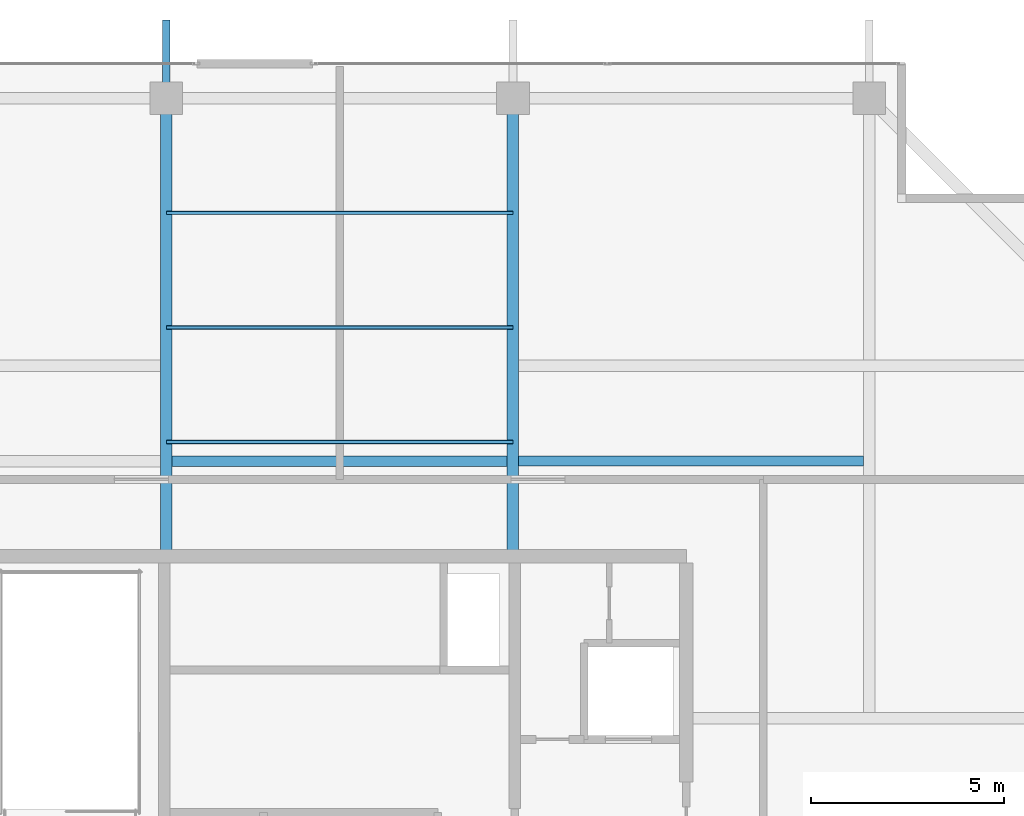
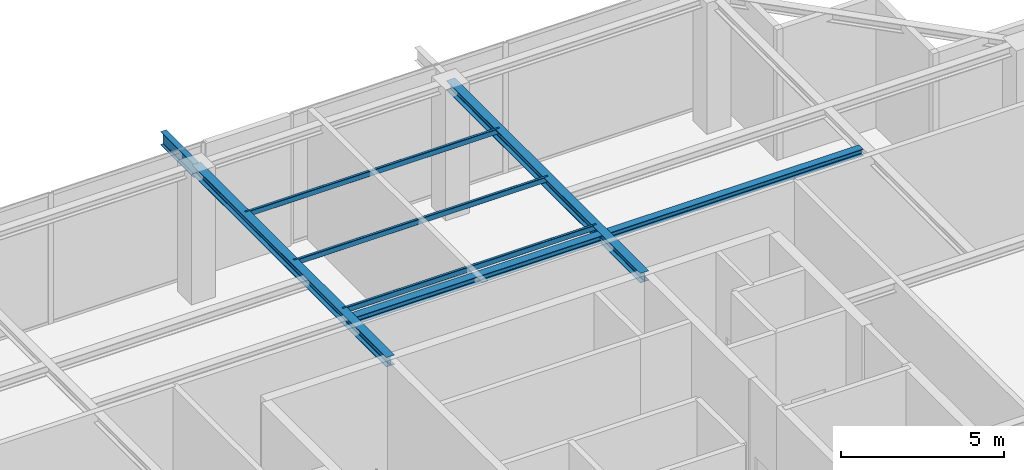
# One storey, part 20 of 27: 5 beams, 3 members.
"""IFC4 building model written with IfcOpenShell, lengths in metres."""

from ifc_helpers import new_model, si_unit, direction, frame, origin, origin_2d, place, context, subcontext, project, spatial, hollow_rectangle, i_section, extrude, source, transform, mapped, material, material_profile, profile_set, type_object, element, save


model = new_model("IFC4")

# Units and contexts
model_context = context("Model", 3, precision=1e-05, world=origin(), true_north=direction((0.0, 1.0)))
body_context = subcontext(model_context, "Body", "Model", "MODEL_VIEW")
ifc_project = project(units=[si_unit("LENGTHUNIT", "METRE"), si_unit("AREAUNIT", "SQUARE_METRE"), si_unit("VOLUMEUNIT", "CUBIC_METRE"), si_unit("PLANEANGLEUNIT", "RADIAN"), si_unit("MASSUNIT", "GRAM", prefix="KILO")], contexts=[model_context])

# Site, building, storey
site_placement = place(None, origin())
site = spatial("IfcSite", under=ifc_project, at=site_placement, CompositionType="ELEMENT")
building_placement = place(site_placement, origin())
building = spatial("IfcBuilding", under=site, at=building_placement, Name="Serunith Strait Residences", CompositionType="ELEMENT")
storey_placement = place(building_placement, frame((0.0, 0.0, 365.75)))
storey = spatial("IfcBuildingStorey", under=building, at=storey_placement, Name="L89", CompositionType="ELEMENT", Elevation=365.75)

# Beams
ifc_material = material(Name="Steel S355J2", Category="steel")
ifc_material_profile_1 = material_profile(ifc_material, i_section(OverallWidth=0.280029296875, OverallDepth=0.280029296875, WebThickness=0.010498046875, FlangeThickness=0.01806640625, FilletRadius=0.02392578125, at=origin_2d()), Name="HEB 280")
ifc_profile_set_1 = profile_set([ifc_material_profile_1], Name="Steel S355J2")
beam_type_1 = type_object("IfcBeamType", Name="BM-HEB280", PredefinedType="JOIST", material=ifc_profile_set_1)
shared_shape_1 = source(origin(), body_context, "Body", "SweptSolid", [
    extrude(i_section(OverallWidth=0.280029296875, OverallDepth=0.280029296875, WebThickness=0.010498046875, FlangeThickness=0.01806640625, FilletRadius=0.02392578125, at=origin_2d()), origin(), (0.0, 0.0, 1.0), 8.699951171875),
])
beam_1_placement = place(storey_placement, frame((28.050048828125, 36.074951171875, 4.757080078125), z_axis=(1.0, 0.0, 0.0), x_axis=(0.0, 1.0, 0.0)))
element("IfcBeam", 1, at=beam_1_placement, inside=storey, type_object=beam_type_1, Name="L89 Composite Floor Joist 05", PredefinedType="JOIST", context=body_context, shape_type="MappedRepresentation", body=[
    mapped(shared_shape_1, transform((0.0, 0.0, 0.0), scale=1.0)),
])
ifc_material_profile_2 = material_profile(ifc_material, i_section(OverallWidth=0.300048828125, OverallDepth=0.360107421875, WebThickness=0.012451171875, FlangeThickness=0.0224609375, FilletRadius=0.027099609375, at=origin_2d()), Name="HEB 360")
ifc_profile_set_2 = profile_set([ifc_material_profile_2], Name="Steel S355J2")
beam_type_2 = type_object("IfcBeamType", Name="BM-HEB360", PredefinedType="BEAM", material=ifc_profile_set_2)
shared_shape_2 = source(origin(), body_context, "Body", "SweptSolid", [
    extrude(i_section(OverallWidth=0.300048828125, OverallDepth=0.360107421875, WebThickness=0.012451171875, FlangeThickness=0.0224609375, FilletRadius=0.027099609375, at=origin_2d()), origin(), (0.0, 0.0, 1.0), 11.89990234375),
])
for number, where, z_axis, x_axis, name in (
    (2, (27.89990234375, 33.60009765625, 4.717041015625), (0.0, 1.0, 0.0), (-1.0, 0.0, 0.0), "L89 Primary Floor Girder TC-N2"),
    (3, (36.89990234375, 33.60009765625, 4.717041015625), (0.0, 1.0, 0.0), (-1.0, 0.0, 0.0), "L89 Primary Floor Girder TC-N3"),
):
    element("IfcBeam", number, at=place(storey_placement, frame(where, z_axis=z_axis, x_axis=x_axis)), inside=storey, type_object=beam_type_2, Name=name, PredefinedType="BEAM", context=body_context, shape_type="MappedRepresentation", body=[
        mapped(shared_shape_2, transform((0.0, 0.0, 0.0), scale=1.0)),
    ])
ifc_material_profile_3 = material_profile(ifc_material, i_section(OverallWidth=0.260009765625, OverallDepth=0.260009765625, WebThickness=0.010009765625, FlangeThickness=0.017578125, FilletRadius=0.02392578125, at=origin_2d()), Name="HEB 260")
ifc_profile_set_3 = profile_set([ifc_material_profile_3], Name="Steel S355J2")
beam_type_3 = type_object("IfcBeamType", Name="BM-HEB260", PredefinedType="JOIST", material=ifc_profile_set_3)
shared_shape_3 = source(origin(), body_context, "Body", "SweptSolid", [
    extrude(i_section(OverallWidth=0.260009765625, OverallDepth=0.260009765625, WebThickness=0.010009765625, FlangeThickness=0.017578125, FilletRadius=0.02392578125, at=origin_2d()), origin(), (0.0, 0.0, 1.0), 8.949951171875),
])
beam_2_placement = place(storey_placement, frame((37.050048828125, 36.074951171875, 4.76708984375), z_axis=(1.0, 0.0, 0.0), x_axis=(0.0, 1.0, 0.0)))
element("IfcBeam", 4, at=beam_2_placement, inside=storey, type_object=beam_type_3, Name="L89 Composite Floor Joist 06", PredefinedType="JOIST", context=body_context, shape_type="MappedRepresentation", body=[
    mapped(shared_shape_3, transform((0.0, 0.0, 0.0), scale=1.0)),
])
ifc_material_profile_4 = material_profile(ifc_material, i_section(OverallWidth=0.199951171875, OverallDepth=0.5, WebThickness=0.01025390625, FlangeThickness=0.01611328125, FilletRadius=0.02099609375, at=origin_2d()), Name="IPE 500")
ifc_profile_set_4 = profile_set([ifc_material_profile_4], Name="Steel S355J2")
beam_type_4 = type_object("IfcBeamType", Name="BM-IPE500", PredefinedType="JOIST", material=ifc_profile_set_4)
shared_shape_4 = source(origin(), body_context, "Body", "SweptSolid", [
    extrude(i_section(OverallWidth=0.199951171875, OverallDepth=0.5, WebThickness=0.01025390625, FlangeThickness=0.01611328125, FilletRadius=0.02099609375, at=origin_2d()), origin(), (0.0, 0.0, 1.0), 2.030029296875),
])
beam_3_placement = place(storey_placement, frame((27.89990234375, 45.5, 4.64697265625), z_axis=(0.0, 1.0, 0.0), x_axis=(-1.0, 0.0, 0.0)))
element("IfcBeam", 5, at=beam_3_placement, inside=storey, type_object=beam_type_4, Name="Crown Canopy Cantilever Rafter TC-N2", PredefinedType="JOIST", context=body_context, shape_type="MappedRepresentation", body=[
    mapped(shared_shape_4, transform((0.0, 0.0, 0.0), scale=1.0)),
])

# Members
ifc_material_profile_5 = material_profile(ifc_material, hollow_rectangle(XDim=0.10009765625, YDim=0.199951171875, WallThickness=0.008056640625, InnerFilletRadius=0.011962890625, OuterFilletRadius=0.02001953125, at=origin_2d()), Name="RHS 200x100x8")
ifc_profile_set_5 = profile_set([ifc_material_profile_5], Name="Steel S355J2")
member_type = type_object("IfcMemberType", Name="MBR-BRACE-RHS200", PredefinedType="PURLIN", material=ifc_profile_set_5)
shared_shape_5 = source(origin(), body_context, "Body", "SweptSolid", [
    extrude(hollow_rectangle(XDim=0.10009765625, YDim=0.199951171875, WallThickness=0.008056640625, InnerFilletRadius=0.011962890625, OuterFilletRadius=0.02001953125, at=origin_2d()), origin(), (0.0, 0.0, 1.0), 9.0),
])
for number, where, z_axis, x_axis, name in (
    (6, (27.89990234375, 36.574951171875, 4.797119140625), (1.0, 0.0, 0.0), (0.0, 1.0, 0.0), "Crown Canopy Steel Purlin 04"),
    (7, (27.89990234375, 39.550048828125, 4.797119140625), (1.0, 0.0, 0.0), (0.0, 1.0, 0.0), "Crown Canopy Steel Purlin 05"),
    (8, (27.89990234375, 42.52490234375, 4.797119140625), (1.0, 0.0, 0.0), (0.0, 1.0, 0.0), "Crown Canopy Steel Purlin 06"),
):
    element("IfcMember", number, at=place(storey_placement, frame(where, z_axis=z_axis, x_axis=x_axis)), inside=storey, type_object=member_type, Name=name, PredefinedType="PURLIN", context=body_context, shape_type="MappedRepresentation", body=[
        mapped(shared_shape_5, transform((0.0, 0.0, 0.0), scale=1.0)),
    ])

save(model, "model.ifc")
